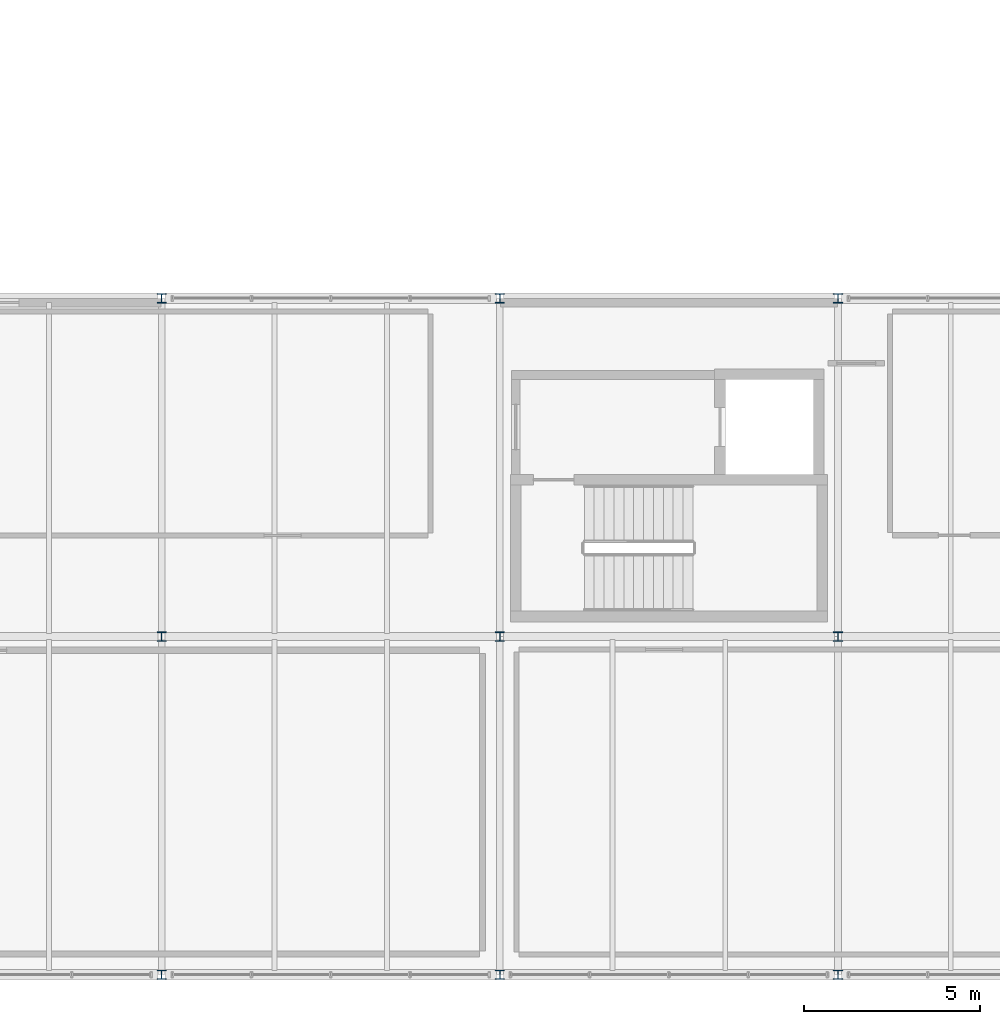
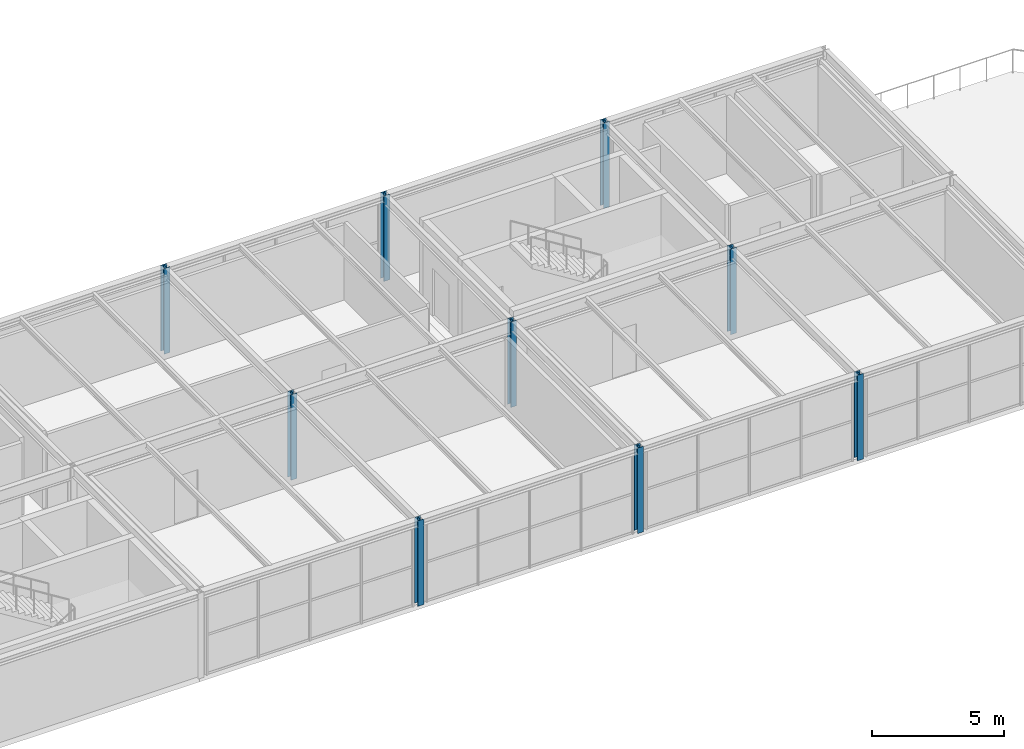
# One storey, part 2 of 39: 9 columns.
"""IFC4 building model written with IfcOpenShell, lengths in metres."""

from ifc_helpers import new_model, si_unit, direction, frame, origin, origin_2d, place, context, subcontext, project, spatial, i_section, extrude, material, material_profile, profile_set, type_object, element, save


model = new_model("IFC4")

# Units and contexts
model_context = context("Model", 3, precision=1e-05, world=origin(), true_north=direction((0.0, 1.0)))
body_context = subcontext(model_context, "Body", "Model", "MODEL_VIEW")
ifc_project = project(units=[si_unit("LENGTHUNIT", "METRE"), si_unit("AREAUNIT", "SQUARE_METRE"), si_unit("VOLUMEUNIT", "CUBIC_METRE"), si_unit("PLANEANGLEUNIT", "RADIAN"), si_unit("MASSUNIT", "GRAM", prefix="KILO")], contexts=[model_context])

# Site, building, storey
site_placement = place(None, origin())
site = spatial("IfcSite", under=ifc_project, at=site_placement, CompositionType="ELEMENT")
building_placement = place(site_placement, origin())
building = spatial("IfcBuilding", under=site, at=building_placement, Name="Coralgate Yard Interchange", CompositionType="ELEMENT")
storey_placement = place(building_placement, frame((0.0, 0.0, 18.89990234375)))
storey = spatial("IfcBuildingStorey", under=building, at=storey_placement, Name="L04", CompositionType="ELEMENT", Elevation=18.89990234375)

# Columns
ifc_material = material(Name="Structural steel S355J2", Category="steel")
ifc_material_profile = material_profile(ifc_material, i_section(OverallWidth=0.2587890625, OverallDepth=0.2666015625, WebThickness=0.0126953125, FlangeThickness=0.0205078125, FilletRadius=0.0126953125, at=origin_2d()), Name="UC 254x254x107")
ifc_profile_set = profile_set([ifc_material_profile], Name="Structural steel S355J2")
column_type = type_object("IfcColumnType", Name="COL-SC-7", PredefinedType="COLUMN", material=ifc_profile_set)
for number, where, z_axis, x_axis, name in (
    (1, (38.39990234375, 0.0, 0.0), (0.0, 0.0, 1.0), (1.0, 0.0, 0.0), "L04 structural column 4-0"),
    (2, (38.39990234375, 9.60009765625, 0.0), (0.0, 0.0, 1.0), (1.0, 0.0, 0.0), "L04 structural column 4-1"),
    (3, (38.39990234375, 19.199951171875, 0.0), (0.0, 0.0, 1.0), (1.0, 0.0, 0.0), "L04 structural column 4-2"),
    (4, (48.0, 0.0, 0.0), (0.0, 0.0, 1.0), (1.0, 0.0, 0.0), "L04 structural column 5-0"),
    (5, (48.0, 9.60009765625, 0.0), (0.0, 0.0, 1.0), (1.0, 0.0, 0.0), "L04 structural column 5-1"),
    (6, (48.0, 19.199951171875, 0.0), (0.0, 0.0, 1.0), (1.0, 0.0, 0.0), "L04 structural column 5-2"),
    (7, (57.60009765625, 0.0, 0.0), (0.0, 0.0, 1.0), (1.0, 0.0, 0.0), "L04 structural column 6-0"),
    (8, (57.60009765625, 9.60009765625, 0.0), (0.0, 0.0, 1.0), (1.0, 0.0, 0.0), "L04 structural column 6-1"),
    (9, (57.60009765625, 19.199951171875, 0.0), (0.0, 0.0, 1.0), (1.0, 0.0, 0.0), "L04 structural column 6-2"),
):
    element("IfcColumn", number, at=place(storey_placement, frame(where, z_axis=z_axis, x_axis=x_axis)), inside=storey, type_object=column_type, Name=name, PredefinedType="COLUMN", context=body_context, shape_type="SweptSolid", body=[
        extrude(i_section(OverallWidth=0.2587890625, OverallDepth=0.2666015625, WebThickness=0.0126953125, FlangeThickness=0.0205078125, FilletRadius=0.0126953125, at=origin_2d()), origin(), (0.0, 0.0, 1.0), 3.9501953125),
    ])

save(model, "model.ifc")
